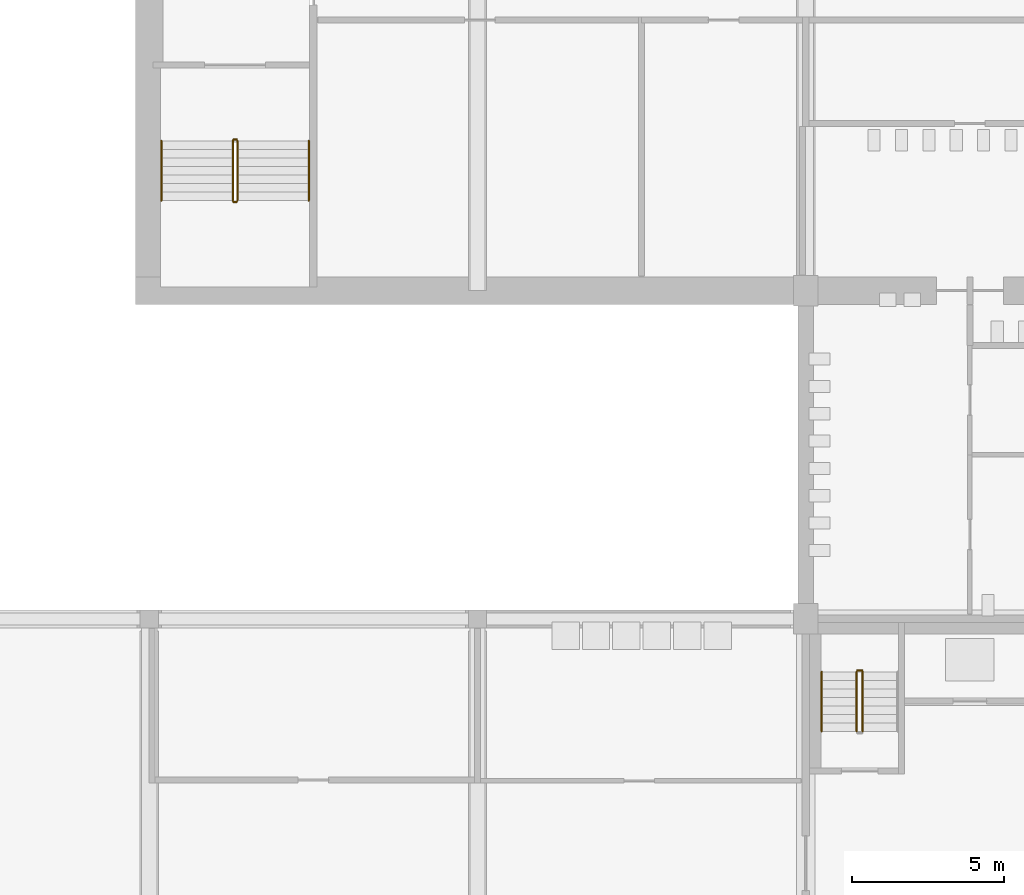
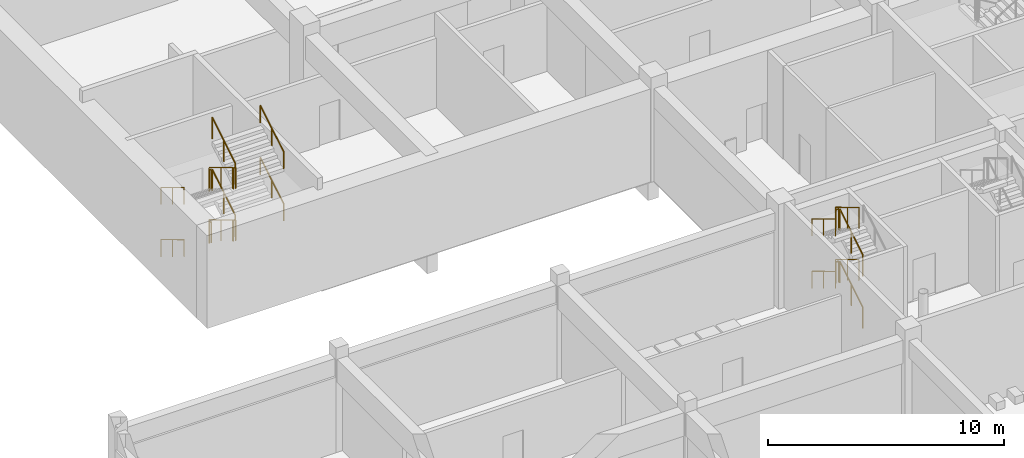
# One storey, part 79 of 101: 20 railings.
"""IFC4 building model written with IfcOpenShell, lengths in metres."""

import ifcopenshell
import ifcopenshell.guid

model = None  # the IFC model being written
_history = None  # IfcOwnerHistory: only IFC2X3 demands one
_inside = {}  # id of a spatial element -> (the spatial element, [elements in it])
_under = {}  # id of a project, library or spatial element -> (it, [spatial elements below it])
_declared = {}  # id of a project -> (the project, [libraries it declares])
_typed = {}  # id of a type object -> (the type object, [elements of that type])
_made_of = {}  # id of a material, layer set ... -> (it, [elements and type objects made of it])


def new_model(schema):
    """Start an empty IFC model of exactly this schema.

    Asked for "IFC4X3", IfcOpenShell would pick the latest addendum, in which some entities
    have other attributes; the version numbers below select the first issue.
    IFC2X3 requires an IfcOwnerHistory on every rooted entity: one is made here for all.
    """
    global model, _history
    if schema == "IFC4X3":
        model = ifcopenshell.file(schema_version=(4, 3, 0, 0))
    else:
        model = ifcopenshell.file(schema=schema)
    _inside.clear()
    _under.clear()
    _declared.clear()
    _typed.clear()
    _made_of.clear()
    _history = None
    if model.schema == "IFC2X3":
        org = make("IfcOrganization", Name="unknown")
        user = make(
            "IfcPersonAndOrganization",
            ThePerson=make("IfcPerson", FamilyName="unknown"),
            TheOrganization=org,
        )
        app = make(
            "IfcApplication",
            ApplicationDeveloper=org,
            Version="unknown",
            ApplicationFullName="unknown",
            ApplicationIdentifier="unknown",
        )
        _history = make(
            "IfcOwnerHistory",
            OwningUser=user,
            OwningApplication=app,
            ChangeAction="ADDED",
            CreationDate=0,
        )
    return model


def make(cls, **values):
    """One entity of the class cls with the attributes given. An attribute that is None is left unset."""
    return model.create_entity(
        cls, **{name: value for name, value in values.items() if value is not None}
    )


def rooted(cls, **values):
    """An entity with a GlobalId (a new one), such as an element, a storey or a relation."""
    return make(cls, GlobalId=ifcopenshell.guid.new(), OwnerHistory=_history, **values)


def si_unit(unit_type, name, prefix=None):
    """IfcSIUnit, for example si_unit("LENGTHUNIT", "METRE", prefix="MILLI")."""
    return make("IfcSIUnit", UnitType=unit_type, Prefix=prefix, Name=name)


def assignment(units):
    """IfcUnitAssignment: the units of a project."""
    return None if units is None else make("IfcUnitAssignment", Units=units)


def point(xyz):
    """IfcCartesianPoint."""
    return None if xyz is None else make("IfcCartesianPoint", Coordinates=xyz)


def direction(xyz):
    """IfcDirection."""
    return None if xyz is None else make("IfcDirection", DirectionRatios=xyz)


def frame(location, z_axis=None, x_axis=None):
    """IfcAxis2Placement3D, a coordinate frame: its origin and axes. An axis left out is left unset."""
    return make(
        "IfcAxis2Placement3D",
        Location=point(location),
        Axis=direction(z_axis),
        RefDirection=direction(x_axis),
    )


def frame_2d(location, x_axis=None):
    """IfcAxis2Placement2D, a coordinate frame in the plane: its origin and x axis."""
    return make(
        "IfcAxis2Placement2D", Location=point(location), RefDirection=direction(x_axis)
    )


def origin():
    """The frame at (0, 0, 0) with its axes left unset."""
    return frame((0.0, 0.0, 0.0))


def origin_2d():
    """The frame at (0, 0) in the plane with its x axis left unset."""
    return frame_2d((0.0, 0.0))


def place(relative_to, where):
    """IfcLocalPlacement: puts the frame where relative to a parent placement (None: the world)."""
    return make(
        "IfcLocalPlacement", PlacementRelTo=relative_to, RelativePlacement=where
    )


def context(
    kind, dimensions, precision=None, world=None, true_north=None, identifier=None
):
    """IfcGeometricRepresentationContext, for example the 3D "Model" context."""
    return make(
        "IfcGeometricRepresentationContext",
        ContextIdentifier=identifier,
        ContextType=kind,
        CoordinateSpaceDimension=dimensions,
        Precision=precision,
        WorldCoordinateSystem=world,
        TrueNorth=true_north,
    )


def subcontext(parent, identifier, kind, view, scale=None):
    """IfcGeometricRepresentationSubContext, for example "Body" below "Model"."""
    return make(
        "IfcGeometricRepresentationSubContext",
        ContextIdentifier=identifier,
        ContextType=kind,
        ParentContext=parent,
        TargetScale=scale,
        TargetView=view,
    )


def project(units=None, contexts=None):
    """IfcProject with its units and contexts."""
    return rooted(
        "IfcProject",
        Name="project",
        RepresentationContexts=contexts,
        UnitsInContext=assignment(units),
    )


def spatial(cls, under=None, at=None, **own):
    """A site, building, storey or space (cls), placed at a placement, below another one or the project."""
    s = rooted(cls, ObjectPlacement=at, **own)
    if under is not None:
        _under.setdefault(under.id(), (under, []))[1].append(s)
    return s


def profile(cls, at=None, kind="AREA", **sizes):
    """A parametric profile (cls). Its sizes go by their IFC names, for example OverallWidth=200.0."""
    return make(cls, ProfileType=kind, Position=at, **sizes)


def circle(**sizes):
    """IfcCircleProfileDef."""
    return profile("IfcCircleProfileDef", **sizes)


def extrude(swept, where, along, depth):
    """IfcExtrudedAreaSolid: the profile swept, set in the frame where, extruded along a direction by depth."""
    return make(
        "IfcExtrudedAreaSolid",
        SweptArea=swept,
        Position=where,
        ExtrudedDirection=direction(along),
        Depth=depth,
    )


def shape(context_of_items, identifier, shape_type, items):
    """IfcShapeRepresentation: the items that make up one representation, for example the "Body"."""
    return make(
        "IfcShapeRepresentation",
        ContextOfItems=context_of_items,
        RepresentationIdentifier=identifier,
        RepresentationType=shape_type,
        Items=items,
    )


def material(Name=None, Category=None):
    """IfcMaterial."""
    return make("IfcMaterial", Name=Name, Category=Category)


def made_of(thing, what):
    """Note that an element or type object is made of a material, layer set ...; save() writes the relation."""
    if what is not None:
        _made_of.setdefault(what.id(), (what, []))[1].append(thing)
    return thing


def type_object(cls, material=None, **own):
    """A type object (cls), such as IfcWallType, which elements share."""
    return made_of(rooted(cls, **own), material)


def element(
    cls,
    number,
    at=None,
    inside=None,
    cuts=None,
    type_object=None,
    material=None,
    context=None,
    identifier="Body",
    shape_type=None,
    held_by="IfcProductDefinitionShape",
    body=None,
    shapes=None,
    **own,
):
    """One element of the class cls, such as IfcWall. Its Tag is "e" and its number.

    at: its placement. inside: the storey or other place that contains it. cuts: it is an
    opening in that element (IfcRelVoidsElement). A single representation is given by context,
    identifier, shape_type and body (its items); several are given by shapes. held_by: the class
    of the entity that holds the representations. save() writes the other relations.
    """
    e = rooted(cls, Tag="e%d" % number, ObjectPlacement=at, **own)
    if body is not None:
        shapes = [shape(context, identifier, shape_type, body)]
    if shapes is not None:
        e.Representation = make(held_by, Representations=shapes)
    if inside is not None:
        _inside.setdefault(inside.id(), (inside, []))[1].append(e)
    if cuts is not None:
        rooted(
            "IfcRelVoidsElement", RelatingBuildingElement=cuts, RelatedOpeningElement=e
        )
    if type_object is not None:
        _typed.setdefault(type_object.id(), (type_object, []))[1].append(e)
    return made_of(e, material)


def aggregate(whole, parts):
    """IfcRelAggregates: a whole, such as a stair, and the parts it consists of."""
    return rooted("IfcRelAggregates", RelatingObject=whole, RelatedObjects=parts)


def save(model, path):
    """Write the relations noted so far, then the file.

    IfcRelAggregates (storeys below a building ...), IfcRelContainedInSpatialStructure (elements
    in a storey), IfcRelDefinesByType, IfcRelAssociatesMaterial and IfcRelDeclares: one each for
    every whole, place, type object, material and project.
    """
    for whole, parts in _under.values():
        aggregate(whole, parts)
    for where, things in _inside.values():
        rooted(
            "IfcRelContainedInSpatialStructure",
            RelatedElements=things,
            RelatingStructure=where,
        )
    for kind, things in _typed.values():
        rooted("IfcRelDefinesByType", RelatedObjects=things, RelatingType=kind)
    for what, things in _made_of.values():
        rooted("IfcRelAssociatesMaterial", RelatedObjects=things, RelatingMaterial=what)
    for by, libraries in _declared.values():
        rooted("IfcRelDeclares", RelatingContext=by, RelatedDefinitions=libraries)
    model.write(path)


model = new_model("IFC4")

# Units and contexts
model_context = context("Model", 3, precision=1e-05, world=origin(), true_north=direction((0.0, 1.0)))
body_context = subcontext(model_context, "Body", "Model", "MODEL_VIEW")
ifc_project = project(units=[si_unit("LENGTHUNIT", "METRE"), si_unit("AREAUNIT", "SQUARE_METRE"), si_unit("VOLUMEUNIT", "CUBIC_METRE"), si_unit("PLANEANGLEUNIT", "RADIAN"), si_unit("MASSUNIT", "GRAM", prefix="KILO")], contexts=[model_context])

# Site, building, storey
site_placement = place(None, origin())
site = spatial("IfcSite", under=ifc_project, at=site_placement, CompositionType="ELEMENT")
building_placement = place(site_placement, origin())
building = spatial("IfcBuilding", under=site, at=building_placement, Name="Magnolia Steps Interchange", CompositionType="ELEMENT")
storey_placement = place(building_placement, frame((0.0, 0.0, -5.39990234375)))
storey = spatial("IfcBuildingStorey", under=building, at=storey_placement, Name="B1", CompositionType="ELEMENT", Elevation=-5.39990234375)

# Railings
ifc_material_1 = material(Name="Stainless steel grade 304", Category="steel")
railing_type_1 = type_object("IfcRailingType", Name="Stair guard 1100", PredefinedType="GUARDRAIL", material=ifc_material_1)
railing_1_placement = place(storey_placement, frame((23.551025390625, 58.125, 0.168701171875)))
element("IfcRailing", 1, at=railing_1_placement, inside=storey, type_object=railing_type_1, Name="B1 ST15 stair guard 1", PredefinedType="GUARDRAIL", context=body_context, shape_type="SweptSolid", body=[
    extrude(circle(Radius=0.02392578125, at=origin_2d()), frame((0.0, 0.0, 1.076171875), z_axis=(0.0, -0.856493463811, 0.516157869696), x_axis=(1.0, 0.0, 0.0)), (0.0, 0.0, 1.0), 2.288330078125),
    extrude(circle(Radius=0.02099609375, at=origin_2d()), origin(), (0.0, 0.0, 1.0), 1.052001953125),
    extrude(circle(Radius=0.02099609375, at=origin_2d()), frame((0.0, -0.97998046875, 0.590576171875)), (0.0, 0.0, 1.0), 1.052001953125),
    extrude(circle(Radius=0.02099609375, at=origin_2d()), frame((0.0, -1.9599609375, 1.18115234375)), (0.0, 0.0, 1.0), 1.052001953125),
])
railing_2_placement = place(storey_placement, frame((23.574951171875, 56.114990234375, 1.349853515625)))
element("IfcRailing", 2, at=railing_2_placement, inside=storey, type_object=railing_type_1, Name="B1 ST15 stair guard 2", PredefinedType="GUARDRAIL", context=body_context, shape_type="SweptSolid", body=[
    extrude(circle(Radius=0.02392578125, at=origin_2d()), frame((0.0, 0.0, 1.076171875), z_axis=(1.0, 0.0, 0.0), x_axis=(0.0, 1.0, 0.0)), (0.0, 0.0, 1.0), 0.10009765625),
    extrude(circle(Radius=0.02099609375, at=origin_2d()), origin(), (0.0, 0.0, 1.0), 1.052001953125),
    extrude(circle(Radius=0.02099609375, at=origin_2d()), frame((0.10009765625, 0.0, 0.0)), (0.0, 0.0, 1.0), 1.052001953125),
])
railing_3_placement = place(storey_placement, frame((23.698974609375, 56.1650390625, 1.5185546875)))
element("IfcRailing", 3, at=railing_3_placement, inside=storey, type_object=railing_type_1, Name="B1 ST15 stair guard 3", PredefinedType="GUARDRAIL", context=body_context, shape_type="SweptSolid", body=[
    extrude(circle(Radius=0.02392578125, at=origin_2d()), frame((0.0, 0.0, 1.076171875), z_axis=(0.0, 0.856446297458, 0.516236127728), x_axis=(-1.0, 0.0, 0.0)), (0.0, 0.0, 1.0), 2.28857421875),
    extrude(circle(Radius=0.02099609375, at=origin_2d()), origin(), (0.0, 0.0, 1.0), 1.052001953125),
    extrude(circle(Radius=0.02099609375, at=origin_2d()), frame((0.0, 0.97998046875, 0.5908203125)), (0.0, 0.0, 1.0), 1.052001953125),
    extrude(circle(Radius=0.02099609375, at=origin_2d()), frame((0.0, 1.9599609375, 1.181396484375)), (0.0, 0.0, 1.0), 1.052001953125),
])
railing_4_placement = place(storey_placement, frame((23.574951171875, 58.175048828125, 2.699951171875)))
element("IfcRailing", 4, at=railing_4_placement, inside=storey, type_object=railing_type_1, Name="B1 ST15 stair guard 4", PredefinedType="GUARDRAIL", context=body_context, shape_type="SweptSolid", body=[
    extrude(circle(Radius=0.02392578125, at=origin_2d()), frame((0.0, 0.0, 1.076171875), z_axis=(1.0, 0.0, 0.0), x_axis=(0.0, 1.0, 0.0)), (0.0, 0.0, 1.0), 0.10009765625),
    extrude(circle(Radius=0.02099609375, at=origin_2d()), origin(), (0.0, 0.0, 1.0), 1.052001953125),
    extrude(circle(Radius=0.02099609375, at=origin_2d()), frame((0.10009765625, 0.0, 0.0)), (0.0, 0.0, 1.0), 1.052001953125),
])
railing_5_placement = place(storey_placement, frame((23.551025390625, 58.125, 2.86865234375)))
element("IfcRailing", 5, at=railing_5_placement, inside=storey, type_object=railing_type_1, Name="B1 ST15 stair guard 5", PredefinedType="GUARDRAIL", context=body_context, shape_type="SweptSolid", body=[
    extrude(circle(Radius=0.02392578125, at=origin_2d()), frame((0.0, 0.0, 1.076171875), z_axis=(0.0, -0.856493463811, 0.516157869696), x_axis=(1.0, 0.0, 0.0)), (0.0, 0.0, 1.0), 2.288330078125),
    extrude(circle(Radius=0.02099609375, at=origin_2d()), origin(), (0.0, 0.0, 1.0), 1.052001953125),
    extrude(circle(Radius=0.02099609375, at=origin_2d()), frame((0.0, -0.97998046875, 0.590576171875)), (0.0, 0.0, 1.0), 1.052001953125),
    extrude(circle(Radius=0.02099609375, at=origin_2d()), frame((0.0, -1.9599609375, 1.18115234375)), (0.0, 0.0, 1.0), 1.052001953125),
])
railing_6_placement = place(storey_placement, frame((23.574951171875, 56.114990234375, 4.0498046875)))
element("IfcRailing", 6, at=railing_6_placement, inside=storey, type_object=railing_type_1, Name="B1 ST15 stair guard 6", PredefinedType="GUARDRAIL", context=body_context, shape_type="SweptSolid", body=[
    extrude(circle(Radius=0.02392578125, at=origin_2d()), frame((0.0, 0.0, 1.076171875), z_axis=(1.0, 0.0, 0.0), x_axis=(0.0, 1.0, 0.0)), (0.0, 0.0, 1.0), 0.10009765625),
    extrude(circle(Radius=0.02099609375, at=origin_2d()), origin(), (0.0, 0.0, 1.0), 1.052001953125),
    extrude(circle(Radius=0.02099609375, at=origin_2d()), frame((0.10009765625, 0.0, 0.0)), (0.0, 0.0, 1.0), 1.052001953125),
])
railing_7_placement = place(storey_placement, frame((23.698974609375, 56.1650390625, 4.21875)))
element("IfcRailing", 7, at=railing_7_placement, inside=storey, type_object=railing_type_1, Name="B1 ST15 stair guard 7", PredefinedType="GUARDRAIL", context=body_context, shape_type="SweptSolid", body=[
    extrude(circle(Radius=0.02392578125, at=origin_2d()), frame((0.0, 0.0, 1.076171875), z_axis=(0.0, 0.856493463811, 0.516157869696), x_axis=(-1.0, 0.0, 0.0)), (0.0, 0.0, 1.0), 2.288330078125),
    extrude(circle(Radius=0.02099609375, at=origin_2d()), origin(), (0.0, 0.0, 1.0), 1.052001953125),
    extrude(circle(Radius=0.02099609375, at=origin_2d()), frame((0.0, 0.97998046875, 0.590576171875)), (0.0, 0.0, 1.0), 1.052001953125),
    extrude(circle(Radius=0.02099609375, at=origin_2d()), frame((0.0, 1.9599609375, 1.18115234375)), (0.0, 0.0, 1.0), 1.052001953125),
])
railing_8_placement = place(storey_placement, frame((23.574951171875, 58.175048828125, 0.0)))
element("IfcRailing", 8, at=railing_8_placement, inside=storey, type_object=railing_type_1, Name="B1 ST15 stair guard 8", PredefinedType="GUARDRAIL", context=body_context, shape_type="SweptSolid", body=[
    extrude(circle(Radius=0.02392578125, at=origin_2d()), frame((0.0, 0.0, 1.076171875), z_axis=(1.0, 0.0, 0.0), x_axis=(0.0, 1.0, 0.0)), (0.0, 0.0, 1.0), 0.10009765625),
    extrude(circle(Radius=0.02099609375, at=origin_2d()), origin(), (0.0, 0.0, 1.0), 1.052001953125),
    extrude(circle(Radius=0.02099609375, at=origin_2d()), frame((0.10009765625, 0.0, 0.0)), (0.0, 0.0, 1.0), 1.052001953125),
])
railing_9_placement = place(storey_placement, frame((44.27392578125, 38.699951171875, 0.168701171875)))
element("IfcRailing", 9, at=railing_9_placement, inside=storey, type_object=railing_type_1, Name="B1 ST17 stair guard 1", PredefinedType="GUARDRAIL", context=body_context, shape_type="SweptSolid", body=[
    extrude(circle(Radius=0.02392578125, at=origin_2d()), frame((0.0, 0.0, 1.076171875), z_axis=(0.0, 0.856493463811, 0.516157869696), x_axis=(-1.0, 0.0, 0.0)), (0.0, 0.0, 1.0), 2.288330078125),
    extrude(circle(Radius=0.02099609375, at=origin_2d()), origin(), (0.0, 0.0, 1.0), 1.052001953125),
    extrude(circle(Radius=0.02099609375, at=origin_2d()), frame((0.0, 0.97998046875, 0.590576171875)), (0.0, 0.0, 1.0), 1.052001953125),
    extrude(circle(Radius=0.02099609375, at=origin_2d()), frame((0.0, 1.9599609375, 1.18115234375)), (0.0, 0.0, 1.0), 1.052001953125),
])
railing_10_placement = place(storey_placement, frame((44.25, 40.7099609375, 1.349853515625)))
element("IfcRailing", 10, at=railing_10_placement, inside=storey, type_object=railing_type_1, Name="B1 ST17 stair guard 2", PredefinedType="GUARDRAIL", context=body_context, shape_type="SweptSolid", body=[
    extrude(circle(Radius=0.02392578125, at=origin_2d()), frame((0.0, 0.0, 1.076171875), z_axis=(-1.0, 0.0, 0.0), x_axis=(0.0, -1.0, 0.0)), (0.0, 0.0, 1.0), 0.14990234375),
    extrude(circle(Radius=0.02099609375, at=origin_2d()), origin(), (0.0, 0.0, 1.0), 1.052001953125),
    extrude(circle(Radius=0.02099609375, at=origin_2d()), frame((-0.14990234375, 0.0, 0.0)), (0.0, 0.0, 1.0), 1.052001953125),
])
railing_11_placement = place(storey_placement, frame((44.075927734375, 40.659912109375, 1.5185546875)))
element("IfcRailing", 11, at=railing_11_placement, inside=storey, type_object=railing_type_1, Name="B1 ST17 stair guard 3", PredefinedType="GUARDRAIL", context=body_context, shape_type="SweptSolid", body=[
    extrude(circle(Radius=0.02392578125, at=origin_2d()), frame((0.0, 0.0, 1.076171875), z_axis=(0.0, -0.856446297458, 0.516236127728), x_axis=(1.0, 0.0, 0.0)), (0.0, 0.0, 1.0), 2.28857421875),
    extrude(circle(Radius=0.02099609375, at=origin_2d()), origin(), (0.0, 0.0, 1.0), 1.052001953125),
    extrude(circle(Radius=0.02099609375, at=origin_2d()), frame((0.0, -0.97998046875, 0.5908203125)), (0.0, 0.0, 1.0), 1.052001953125),
    extrude(circle(Radius=0.02099609375, at=origin_2d()), frame((0.0, -1.9599609375, 1.181396484375)), (0.0, 0.0, 1.0), 1.052001953125),
])
railing_12_placement = place(storey_placement, frame((44.27392578125, 38.699951171875, 2.86865234375)))
element("IfcRailing", 12, at=railing_12_placement, inside=storey, type_object=railing_type_1, Name="B1 ST17 stair guard 5", PredefinedType="GUARDRAIL", context=body_context, shape_type="SweptSolid", body=[
    extrude(circle(Radius=0.02392578125, at=origin_2d()), frame((0.0, 0.0, 1.076171875), z_axis=(0.0, 0.856493463811, 0.516157869696), x_axis=(-1.0, 0.0, 0.0)), (0.0, 0.0, 1.0), 2.288330078125),
    extrude(circle(Radius=0.02099609375, at=origin_2d()), origin(), (0.0, 0.0, 1.0), 1.052001953125),
    extrude(circle(Radius=0.02099609375, at=origin_2d()), frame((0.0, 0.97998046875, 0.590576171875)), (0.0, 0.0, 1.0), 1.052001953125),
    extrude(circle(Radius=0.02099609375, at=origin_2d()), frame((0.0, 1.9599609375, 1.18115234375)), (0.0, 0.0, 1.0), 1.052001953125),
])
railing_13_placement = place(storey_placement, frame((44.25, 40.7099609375, 4.0498046875)))
element("IfcRailing", 13, at=railing_13_placement, inside=storey, type_object=railing_type_1, Name="B1 ST17 stair guard 6", PredefinedType="GUARDRAIL", context=body_context, shape_type="SweptSolid", body=[
    extrude(circle(Radius=0.02392578125, at=origin_2d()), frame((0.0, 0.0, 1.076171875), z_axis=(-1.0, 0.0, 0.0), x_axis=(0.0, -1.0, 0.0)), (0.0, 0.0, 1.0), 0.14990234375),
    extrude(circle(Radius=0.02099609375, at=origin_2d()), origin(), (0.0, 0.0, 1.0), 1.052001953125),
    extrude(circle(Radius=0.02099609375, at=origin_2d()), frame((-0.14990234375, 0.0, 0.0)), (0.0, 0.0, 1.0), 1.052001953125),
])
railing_14_placement = place(storey_placement, frame((44.075927734375, 40.659912109375, 4.21875)))
element("IfcRailing", 14, at=railing_14_placement, inside=storey, type_object=railing_type_1, Name="B1 ST17 stair guard 7", PredefinedType="GUARDRAIL", context=body_context, shape_type="SweptSolid", body=[
    extrude(circle(Radius=0.02392578125, at=origin_2d()), frame((0.0, 0.0, 1.076171875), z_axis=(0.0, -0.856493463811, 0.516157869696), x_axis=(1.0, 0.0, 0.0)), (0.0, 0.0, 1.0), 2.288330078125),
    extrude(circle(Radius=0.02099609375, at=origin_2d()), origin(), (0.0, 0.0, 1.0), 1.052001953125),
    extrude(circle(Radius=0.02099609375, at=origin_2d()), frame((0.0, -0.97998046875, 0.590576171875)), (0.0, 0.0, 1.0), 1.052001953125),
    extrude(circle(Radius=0.02099609375, at=origin_2d()), frame((0.0, -1.9599609375, 1.18115234375)), (0.0, 0.0, 1.0), 1.052001953125),
])
ifc_material_2 = material(Name="Stainless steel grade 304", Category="steel")
railing_type_2 = type_object("IfcRailingType", Name="Stair handrail 900", PredefinedType="HANDRAIL", material=ifc_material_2)
railing_15_placement = place(storey_placement, frame((21.198974609375, 58.125, 0.168701171875)))
element("IfcRailing", 15, at=railing_15_placement, inside=storey, type_object=railing_type_2, Name="B1 ST15 stair handrail 1", PredefinedType="HANDRAIL", context=body_context, shape_type="SweptSolid", body=[
    extrude(circle(Radius=0.02392578125, at=origin_2d()), frame((0.0, 0.0, 0.8759765625), z_axis=(0.0, -0.856493463811, 0.516157869696), x_axis=(1.0, 0.0, 0.0)), (0.0, 0.0, 1.0), 2.288330078125),
    extrude(circle(Radius=0.02099609375, at=origin_2d()), origin(), (0.0, 0.0, 1.0), 0.851806640625),
    extrude(circle(Radius=0.02099609375, at=origin_2d()), frame((0.0, -0.97998046875, 0.590576171875)), (0.0, 0.0, 1.0), 0.851806640625),
    extrude(circle(Radius=0.02099609375, at=origin_2d()), frame((0.0, -1.9599609375, 1.18115234375)), (0.0, 0.0, 1.0), 0.851806640625),
])
railing_16_placement = place(storey_placement, frame((26.051025390625, 56.1650390625, 1.5185546875)))
element("IfcRailing", 16, at=railing_16_placement, inside=storey, type_object=railing_type_2, Name="B1 ST15 stair handrail 2", PredefinedType="HANDRAIL", context=body_context, shape_type="SweptSolid", body=[
    extrude(circle(Radius=0.02392578125, at=origin_2d()), frame((0.0, 0.0, 0.8759765625), z_axis=(0.0, 0.856446297458, 0.516236127728), x_axis=(-1.0, 0.0, 0.0)), (0.0, 0.0, 1.0), 2.28857421875),
    extrude(circle(Radius=0.02099609375, at=origin_2d()), origin(), (0.0, 0.0, 1.0), 0.851806640625),
    extrude(circle(Radius=0.02099609375, at=origin_2d()), frame((0.0, 0.97998046875, 0.5908203125)), (0.0, 0.0, 1.0), 0.851806640625),
    extrude(circle(Radius=0.02099609375, at=origin_2d()), frame((0.0, 1.9599609375, 1.181396484375)), (0.0, 0.0, 1.0), 0.851806640625),
])
railing_17_placement = place(storey_placement, frame((21.198974609375, 58.125, 2.86865234375)))
element("IfcRailing", 17, at=railing_17_placement, inside=storey, type_object=railing_type_2, Name="B1 ST15 stair handrail 3", PredefinedType="HANDRAIL", context=body_context, shape_type="SweptSolid", body=[
    extrude(circle(Radius=0.02392578125, at=origin_2d()), frame((0.0, 0.0, 0.8759765625), z_axis=(0.0, -0.856493463811, 0.516157869696), x_axis=(1.0, 0.0, 0.0)), (0.0, 0.0, 1.0), 2.288330078125),
    extrude(circle(Radius=0.02099609375, at=origin_2d()), origin(), (0.0, 0.0, 1.0), 0.851806640625),
    extrude(circle(Radius=0.02099609375, at=origin_2d()), frame((0.0, -0.97998046875, 0.590576171875)), (0.0, 0.0, 1.0), 0.851806640625),
    extrude(circle(Radius=0.02099609375, at=origin_2d()), frame((0.0, -1.9599609375, 1.18115234375)), (0.0, 0.0, 1.0), 0.851806640625),
])
railing_18_placement = place(storey_placement, frame((26.051025390625, 56.1650390625, 4.21875)))
element("IfcRailing", 18, at=railing_18_placement, inside=storey, type_object=railing_type_2, Name="B1 ST15 stair handrail 4", PredefinedType="HANDRAIL", context=body_context, shape_type="SweptSolid", body=[
    extrude(circle(Radius=0.02392578125, at=origin_2d()), frame((0.0, 0.0, 0.8759765625), z_axis=(0.0, 0.856493463811, 0.516157869696), x_axis=(-1.0, 0.0, 0.0)), (0.0, 0.0, 1.0), 2.288330078125),
    extrude(circle(Radius=0.02099609375, at=origin_2d()), origin(), (0.0, 0.0, 1.0), 0.851806640625),
    extrude(circle(Radius=0.02099609375, at=origin_2d()), frame((0.0, 0.97998046875, 0.590576171875)), (0.0, 0.0, 1.0), 0.851806640625),
    extrude(circle(Radius=0.02099609375, at=origin_2d()), frame((0.0, 1.9599609375, 1.18115234375)), (0.0, 0.0, 1.0), 0.851806640625),
])
railing_19_placement = place(storey_placement, frame((42.924072265625, 40.659912109375, 1.5185546875)))
element("IfcRailing", 19, at=railing_19_placement, inside=storey, type_object=railing_type_2, Name="B1 ST17 stair handrail 2", PredefinedType="HANDRAIL", context=body_context, shape_type="SweptSolid", body=[
    extrude(circle(Radius=0.02392578125, at=origin_2d()), frame((0.0, 0.0, 0.8759765625), z_axis=(0.0, -0.856446297458, 0.516236127728), x_axis=(1.0, 0.0, 0.0)), (0.0, 0.0, 1.0), 2.28857421875),
    extrude(circle(Radius=0.02099609375, at=origin_2d()), origin(), (0.0, 0.0, 1.0), 0.851806640625),
    extrude(circle(Radius=0.02099609375, at=origin_2d()), frame((0.0, -0.97998046875, 0.5908203125)), (0.0, 0.0, 1.0), 0.851806640625),
    extrude(circle(Radius=0.02099609375, at=origin_2d()), frame((0.0, -1.9599609375, 1.181396484375)), (0.0, 0.0, 1.0), 0.851806640625),
])
railing_20_placement = place(storey_placement, frame((42.924072265625, 40.659912109375, 4.21875)))
element("IfcRailing", 20, at=railing_20_placement, inside=storey, type_object=railing_type_2, Name="B1 ST17 stair handrail 4", PredefinedType="HANDRAIL", context=body_context, shape_type="SweptSolid", body=[
    extrude(circle(Radius=0.02392578125, at=origin_2d()), frame((0.0, 0.0, 0.8759765625), z_axis=(0.0, -0.856493463811, 0.516157869696), x_axis=(1.0, 0.0, 0.0)), (0.0, 0.0, 1.0), 2.288330078125),
    extrude(circle(Radius=0.02099609375, at=origin_2d()), origin(), (0.0, 0.0, 1.0), 0.851806640625),
    extrude(circle(Radius=0.02099609375, at=origin_2d()), frame((0.0, -0.97998046875, 0.590576171875)), (0.0, 0.0, 1.0), 0.851806640625),
    extrude(circle(Radius=0.02099609375, at=origin_2d()), frame((0.0, -1.9599609375, 1.18115234375)), (0.0, 0.0, 1.0), 0.851806640625),
])

save(model, "model.ifc")
